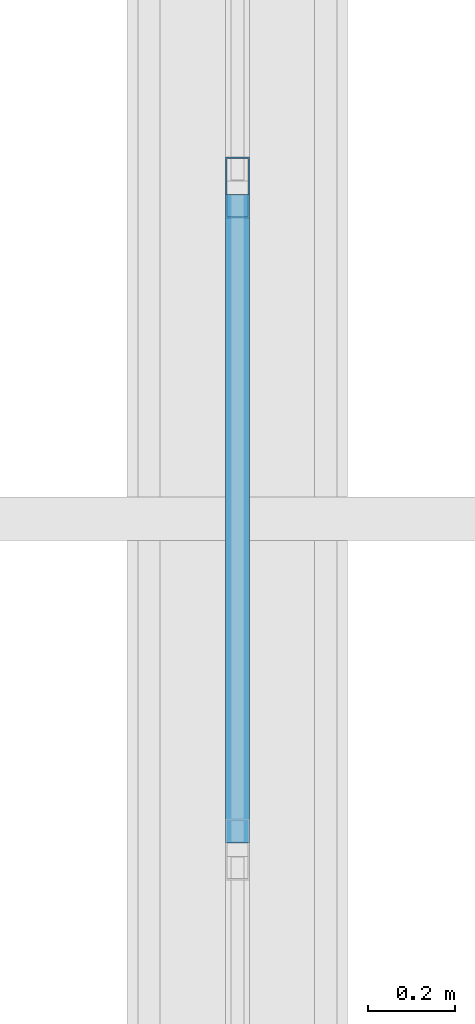
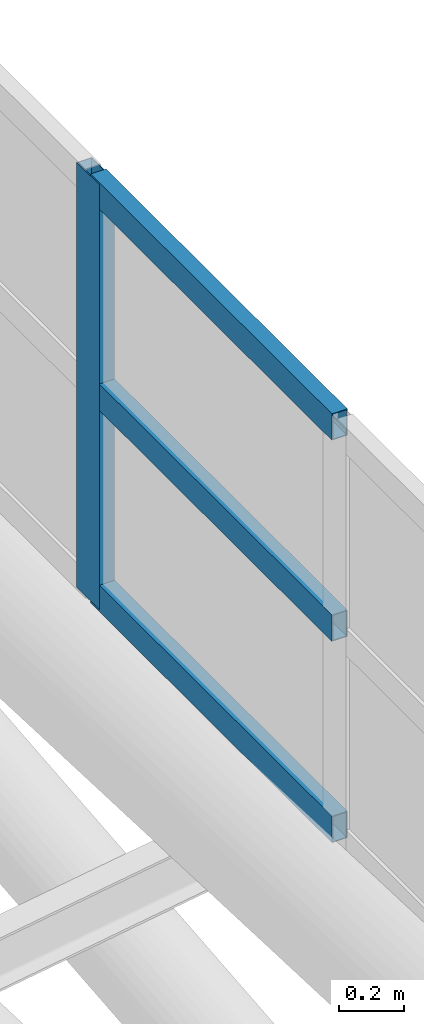
# One storey, part 189 of 397: 4 members, 1 element without a shape of its own.
"""IFC4 building model written with IfcOpenShell, lengths in metres."""

import ifcopenshell
import ifcopenshell.guid

model = None  # the IFC model being written
_history = None  # IfcOwnerHistory: only IFC2X3 demands one
_inside = {}  # id of a spatial element -> (the spatial element, [elements in it])
_under = {}  # id of a project, library or spatial element -> (it, [spatial elements below it])
_declared = {}  # id of a project -> (the project, [libraries it declares])
_typed = {}  # id of a type object -> (the type object, [elements of that type])
_made_of = {}  # id of a material, layer set ... -> (it, [elements and type objects made of it])


def new_model(schema):
    """Start an empty IFC model of exactly this schema.

    Asked for "IFC4X3", IfcOpenShell would pick the latest addendum, in which some entities
    have other attributes; the version numbers below select the first issue.
    IFC2X3 requires an IfcOwnerHistory on every rooted entity: one is made here for all.
    """
    global model, _history
    if schema == "IFC4X3":
        model = ifcopenshell.file(schema_version=(4, 3, 0, 0))
    else:
        model = ifcopenshell.file(schema=schema)
    _inside.clear()
    _under.clear()
    _declared.clear()
    _typed.clear()
    _made_of.clear()
    _history = None
    if model.schema == "IFC2X3":
        org = make("IfcOrganization", Name="unknown")
        user = make(
            "IfcPersonAndOrganization",
            ThePerson=make("IfcPerson", FamilyName="unknown"),
            TheOrganization=org,
        )
        app = make(
            "IfcApplication",
            ApplicationDeveloper=org,
            Version="unknown",
            ApplicationFullName="unknown",
            ApplicationIdentifier="unknown",
        )
        _history = make(
            "IfcOwnerHistory",
            OwningUser=user,
            OwningApplication=app,
            ChangeAction="ADDED",
            CreationDate=0,
        )
    return model


def make(cls, **values):
    """One entity of the class cls with the attributes given. An attribute that is None is left unset."""
    return model.create_entity(
        cls, **{name: value for name, value in values.items() if value is not None}
    )


def rooted(cls, **values):
    """An entity with a GlobalId (a new one), such as an element, a storey or a relation."""
    return make(cls, GlobalId=ifcopenshell.guid.new(), OwnerHistory=_history, **values)


def si_unit(unit_type, name, prefix=None):
    """IfcSIUnit, for example si_unit("LENGTHUNIT", "METRE", prefix="MILLI")."""
    return make("IfcSIUnit", UnitType=unit_type, Prefix=prefix, Name=name)


def assignment(units):
    """IfcUnitAssignment: the units of a project."""
    return None if units is None else make("IfcUnitAssignment", Units=units)


def point(xyz):
    """IfcCartesianPoint."""
    return None if xyz is None else make("IfcCartesianPoint", Coordinates=xyz)


def direction(xyz):
    """IfcDirection."""
    return None if xyz is None else make("IfcDirection", DirectionRatios=xyz)


def frame(location, z_axis=None, x_axis=None):
    """IfcAxis2Placement3D, a coordinate frame: its origin and axes. An axis left out is left unset."""
    return make(
        "IfcAxis2Placement3D",
        Location=point(location),
        Axis=direction(z_axis),
        RefDirection=direction(x_axis),
    )


def frame_2d(location, x_axis=None):
    """IfcAxis2Placement2D, a coordinate frame in the plane: its origin and x axis."""
    return make(
        "IfcAxis2Placement2D", Location=point(location), RefDirection=direction(x_axis)
    )


def origin():
    """The frame at (0, 0, 0) with its axes left unset."""
    return frame((0.0, 0.0, 0.0))


def origin_2d():
    """The frame at (0, 0) in the plane with its x axis left unset."""
    return frame_2d((0.0, 0.0))


def place(relative_to, where):
    """IfcLocalPlacement: puts the frame where relative to a parent placement (None: the world)."""
    return make(
        "IfcLocalPlacement", PlacementRelTo=relative_to, RelativePlacement=where
    )


def context(
    kind, dimensions, precision=None, world=None, true_north=None, identifier=None
):
    """IfcGeometricRepresentationContext, for example the 3D "Model" context."""
    return make(
        "IfcGeometricRepresentationContext",
        ContextIdentifier=identifier,
        ContextType=kind,
        CoordinateSpaceDimension=dimensions,
        Precision=precision,
        WorldCoordinateSystem=world,
        TrueNorth=true_north,
    )


def subcontext(parent, identifier, kind, view, scale=None):
    """IfcGeometricRepresentationSubContext, for example "Body" below "Model"."""
    return make(
        "IfcGeometricRepresentationSubContext",
        ContextIdentifier=identifier,
        ContextType=kind,
        ParentContext=parent,
        TargetScale=scale,
        TargetView=view,
    )


def project(units=None, contexts=None):
    """IfcProject with its units and contexts."""
    return rooted(
        "IfcProject",
        Name="project",
        RepresentationContexts=contexts,
        UnitsInContext=assignment(units),
    )


def spatial(cls, under=None, at=None, **own):
    """A site, building, storey or space (cls), placed at a placement, below another one or the project."""
    s = rooted(cls, ObjectPlacement=at, **own)
    if under is not None:
        _under.setdefault(under.id(), (under, []))[1].append(s)
    return s


def profile(cls, at=None, kind="AREA", **sizes):
    """A parametric profile (cls). Its sizes go by their IFC names, for example OverallWidth=200.0."""
    return make(cls, ProfileType=kind, Position=at, **sizes)


def hollow_rectangle(**sizes):
    """IfcRectangleHollowProfileDef."""
    return profile("IfcRectangleHollowProfileDef", **sizes)


def extrude(swept, where, along, depth):
    """IfcExtrudedAreaSolid: the profile swept, set in the frame where, extruded along a direction by depth."""
    return make(
        "IfcExtrudedAreaSolid",
        SweptArea=swept,
        Position=where,
        ExtrudedDirection=direction(along),
        Depth=depth,
    )


def shape(context_of_items, identifier, shape_type, items):
    """IfcShapeRepresentation: the items that make up one representation, for example the "Body"."""
    return make(
        "IfcShapeRepresentation",
        ContextOfItems=context_of_items,
        RepresentationIdentifier=identifier,
        RepresentationType=shape_type,
        Items=items,
    )


def material(Name=None, Category=None):
    """IfcMaterial."""
    return make("IfcMaterial", Name=Name, Category=Category)


def material_profile(
    of_material, cross_section, Name=None, Category=None, Priority=None
):
    """IfcMaterialProfile: a cross section and its material."""
    return make(
        "IfcMaterialProfile",
        Name=Name,
        Material=of_material,
        Profile=cross_section,
        Priority=Priority,
        Category=Category,
    )


def profile_set(profiles, Name=None, composite=None):
    """IfcMaterialProfileSet."""
    return make(
        "IfcMaterialProfileSet",
        Name=Name,
        MaterialProfiles=profiles,
        CompositeProfile=composite,
    )


def made_of(thing, what):
    """Note that an element or type object is made of a material, layer set ...; save() writes the relation."""
    if what is not None:
        _made_of.setdefault(what.id(), (what, []))[1].append(thing)
    return thing


def type_object(cls, material=None, **own):
    """A type object (cls), such as IfcWallType, which elements share."""
    return made_of(rooted(cls, **own), material)


def element(
    cls,
    number,
    at=None,
    inside=None,
    cuts=None,
    type_object=None,
    material=None,
    context=None,
    identifier="Body",
    shape_type=None,
    held_by="IfcProductDefinitionShape",
    body=None,
    shapes=None,
    **own,
):
    """One element of the class cls, such as IfcWall. Its Tag is "e" and its number.

    at: its placement. inside: the storey or other place that contains it. cuts: it is an
    opening in that element (IfcRelVoidsElement). A single representation is given by context,
    identifier, shape_type and body (its items); several are given by shapes. held_by: the class
    of the entity that holds the representations. save() writes the other relations.
    """
    e = rooted(cls, Tag="e%d" % number, ObjectPlacement=at, **own)
    if body is not None:
        shapes = [shape(context, identifier, shape_type, body)]
    if shapes is not None:
        e.Representation = make(held_by, Representations=shapes)
    if inside is not None:
        _inside.setdefault(inside.id(), (inside, []))[1].append(e)
    if cuts is not None:
        rooted(
            "IfcRelVoidsElement", RelatingBuildingElement=cuts, RelatedOpeningElement=e
        )
    if type_object is not None:
        _typed.setdefault(type_object.id(), (type_object, []))[1].append(e)
    return made_of(e, material)


def aggregate(whole, parts):
    """IfcRelAggregates: a whole, such as a stair, and the parts it consists of."""
    return rooted("IfcRelAggregates", RelatingObject=whole, RelatedObjects=parts)


def save(model, path):
    """Write the relations noted so far, then the file.

    IfcRelAggregates (storeys below a building ...), IfcRelContainedInSpatialStructure (elements
    in a storey), IfcRelDefinesByType, IfcRelAssociatesMaterial and IfcRelDeclares: one each for
    every whole, place, type object, material and project.
    """
    for whole, parts in _under.values():
        aggregate(whole, parts)
    for where, things in _inside.values():
        rooted(
            "IfcRelContainedInSpatialStructure",
            RelatedElements=things,
            RelatingStructure=where,
        )
    for kind, things in _typed.values():
        rooted("IfcRelDefinesByType", RelatedObjects=things, RelatingType=kind)
    for what, things in _made_of.values():
        rooted("IfcRelAssociatesMaterial", RelatedObjects=things, RelatingMaterial=what)
    for by, libraries in _declared.values():
        rooted("IfcRelDeclares", RelatingContext=by, RelatedDefinitions=libraries)
    model.write(path)


model = new_model("IFC4")

# Units and contexts
model_context = context("Model", 3, precision=1e-05, world=origin(), true_north=direction((0.0, 1.0)))
body_context = subcontext(model_context, "Body", "Model", "MODEL_VIEW")
ifc_project = project(units=[si_unit("LENGTHUNIT", "METRE"), si_unit("AREAUNIT", "SQUARE_METRE"), si_unit("VOLUMEUNIT", "CUBIC_METRE"), si_unit("PLANEANGLEUNIT", "RADIAN"), si_unit("MASSUNIT", "GRAM", prefix="KILO")], contexts=[model_context])

# Site, building, storey
site_placement = place(None, origin())
site = spatial("IfcSite", under=ifc_project, at=site_placement, CompositionType="ELEMENT")
building_placement = place(site_placement, origin())
building = spatial("IfcBuilding", under=site, at=building_placement, Name="Qandorah Velis Arena", CompositionType="ELEMENT")
storey_placement = place(building_placement, frame((0.0, 0.0, 27.5)))
storey = spatial("IfcBuildingStorey", under=building, at=storey_placement, Name="RF", CompositionType="ELEMENT", Elevation=27.5)

# Curtain wall, members
ifc_material_1 = material(Name="Solar-control low-E double glazing", Category="glass")
curtain_wall_type = type_object("IfcCurtainWallType", Name="ARC-CW-SYS09", PredefinedType="USERDEFINED", material=ifc_material_1)
curtain_wall_placement = place(storey_placement, origin())
curtain_wall = element("IfcCurtainWall", 1, at=curtain_wall_placement, inside=storey, type_object=curtain_wall_type, Name="Unitised curtain wall OCULUS-1-4", ObjectType="UNITISED CURTAIN WALL", PredefinedType="USERDEFINED")
ifc_material_2 = material(Name="Champagne-bronze anodized aluminium 6063-T6", Category="aluminium")
ifc_material_profile_1 = material_profile(ifc_material_2, hollow_rectangle(XDim=0.054931640625, YDim=0.139892578125, WallThickness=0.0029296875, at=origin_2d()), Name="ALU MULLION 55x140")
ifc_profile_set_1 = profile_set([ifc_material_profile_1], Name="Champagne-bronze anodized aluminium 6063-T6")
member_type_1 = type_object("IfcMemberType", Name="ARC-CWM-140", PredefinedType="MULLION", material=ifc_profile_set_1)
member_1_placement = place(storey_placement, frame((28.800048828125, 79.961181640625, 9.41259765625), z_axis=(0.0, 0.0, 1.0), x_axis=(-1.0, 0.0, 0.0)))
member_1 = element("IfcMember", 2, at=member_1_placement, type_object=member_type_1, Name="CW09 mullion 6", PredefinedType="MULLION", context=body_context, shape_type="SweptSolid", body=[
    extrude(hollow_rectangle(XDim=0.054931640625, YDim=0.139892578125, WallThickness=0.0029296875, at=origin_2d()), origin(), (0.0, 0.0, 1.0), 1.602294921875),
])
ifc_material_profile_2 = material_profile(ifc_material_2, hollow_rectangle(XDim=0.054931640625, YDim=0.10009765625, WallThickness=0.0029296875, at=origin_2d()), Name="ALU TRANSOM 55x100")
ifc_profile_set_2 = profile_set([ifc_material_profile_2], Name="Champagne-bronze anodized aluminium 6063-T6")
member_type_2 = type_object("IfcMemberType", Name="ARC-CWT-100", PredefinedType="USERDEFINED", material=ifc_profile_set_2)
member_2_placement = place(storey_placement, frame((28.800048828125, 78.454345703125, 9.455078125), z_axis=(0.0, 1.0, 0.0), x_axis=(-1.0, 0.0, 0.0)))
member_2 = element("IfcMember", 3, at=member_2_placement, type_object=member_type_2, Name="CW09 transom 5.1", ObjectType="TRANSOM", PredefinedType="USERDEFINED", context=body_context, shape_type="SweptSolid", body=[
    extrude(hollow_rectangle(XDim=0.054931640625, YDim=0.10009765625, WallThickness=0.0029296875, at=origin_2d()), origin(), (0.0, 0.0, 1.0), 1.4912109375),
])
member_3_placement = place(storey_placement, frame((28.800048828125, 78.454345703125, 10.2138671875), z_axis=(0.0, 1.0, 0.0), x_axis=(-1.0, 0.0, 0.0)))
member_3 = element("IfcMember", 4, at=member_3_placement, type_object=member_type_2, Name="CW09 transom 5.2", ObjectType="TRANSOM", PredefinedType="USERDEFINED", context=body_context, shape_type="SweptSolid", body=[
    extrude(hollow_rectangle(XDim=0.054931640625, YDim=0.10009765625, WallThickness=0.0029296875, at=origin_2d()), origin(), (0.0, 0.0, 1.0), 1.4912109375),
])
member_4_placement = place(storey_placement, frame((28.800048828125, 78.454345703125, 10.972412109375), z_axis=(0.0, 1.0, 0.0), x_axis=(-1.0, 0.0, 0.0)))
member_4 = element("IfcMember", 5, at=member_4_placement, type_object=member_type_2, Name="CW09 transom 5.3", ObjectType="TRANSOM", PredefinedType="USERDEFINED", context=body_context, shape_type="SweptSolid", body=[
    extrude(hollow_rectangle(XDim=0.054931640625, YDim=0.10009765625, WallThickness=0.0029296875, at=origin_2d()), origin(), (0.0, 0.0, 1.0), 1.4912109375),
])
aggregate(curtain_wall, [member_1, member_2, member_3, member_4])

save(model, "model.ifc")
